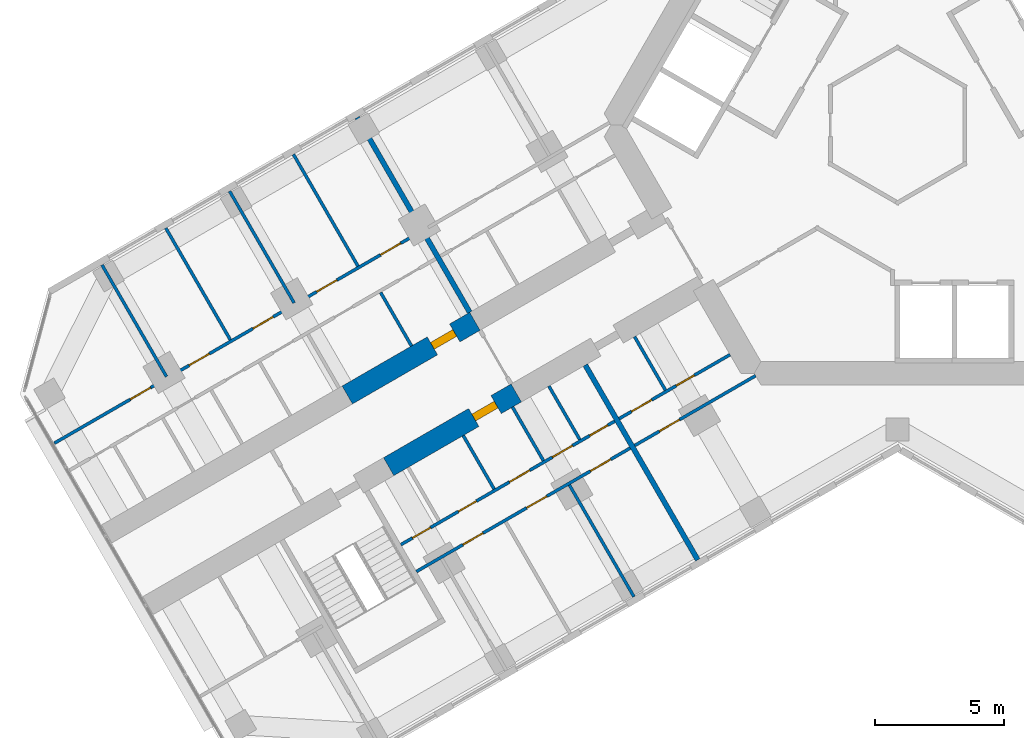
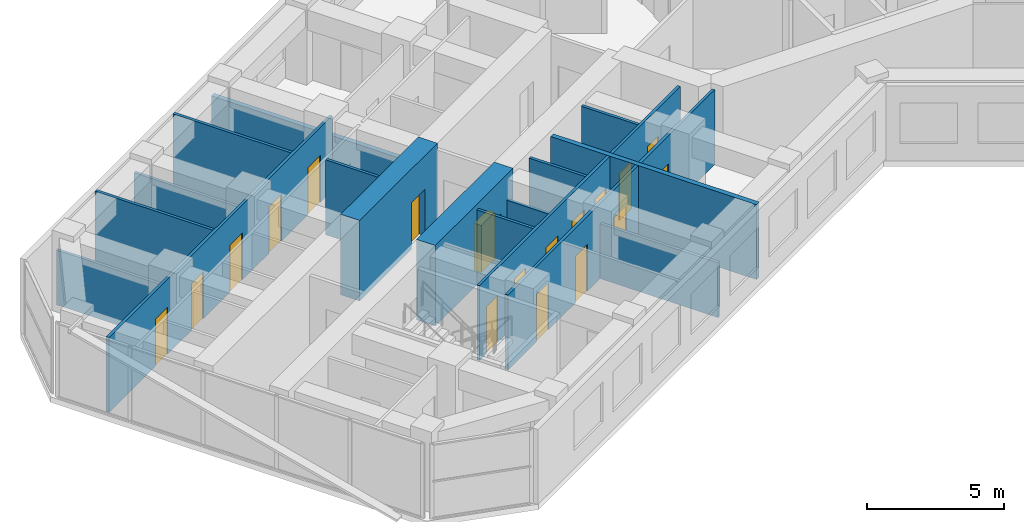
# One storey, part 11 of 19: 19 walls, 18 doors, 18 openings.
"""IFC4 building model written with IfcOpenShell, lengths in metres."""

from ifc_helpers import new_model, si_unit, direction, frame, frame_2d, origin, place, context, subcontext, project, spatial, rectangle, extrude, material, layer, layer_set, type_object, element, fill, save


model = new_model("IFC4")

# Units and contexts
model_context = context("Model", 3, precision=1e-05, world=origin(), true_north=direction((0.0, 1.0)))
body_context = subcontext(model_context, "Body", "Model", "MODEL_VIEW")
ifc_project = project(units=[si_unit("LENGTHUNIT", "METRE"), si_unit("AREAUNIT", "SQUARE_METRE"), si_unit("VOLUMEUNIT", "CUBIC_METRE"), si_unit("PLANEANGLEUNIT", "RADIAN"), si_unit("MASSUNIT", "GRAM", prefix="KILO")], contexts=[model_context])

# Site, building, storey
site_placement = place(None, origin())
site = spatial("IfcSite", under=ifc_project, at=site_placement, CompositionType="ELEMENT")
building_placement = place(site_placement, origin())
building = spatial("IfcBuilding", under=site, at=building_placement, Name="Kosmar Iwan School Tower", CompositionType="ELEMENT")
storey_placement = place(building_placement, frame((0.0, 0.0, 149.0)))
storey = spatial("IfcBuildingStorey", under=building, at=storey_placement, Name="L37", CompositionType="ELEMENT", Elevation=149.0)

# Wall, opening, door
ifc_material_1 = material(Name="Concrete C50/60", Category="concrete")
ifc_layer_1 = layer(ifc_material_1, 0.800048828125)
ifc_layer_set_1 = layer_set([ifc_layer_1], Name="Corridor buttress wall 800")
wall_type_1 = type_object("IfcWallType", Name="Corridor buttress wall 800", PredefinedType="SHEAR", material=ifc_layer_set_1)
wall_1_placement = place(storey_placement, frame((-14.7451171875, -10.360595703125, 0.0), z_axis=(0.0, 0.0, 1.0), x_axis=(-0.866015111908, -0.50001782563, 0.0)))
wall_1 = element("IfcWall", 1, at=wall_1_placement, inside=storey, type_object=wall_type_1, Name="Corridor wall BL bay 2", PredefinedType="SHEAR", context=body_context, shape_type="SweptSolid", body=[
    extrude(rectangle(XDim=5.699951171875, YDim=0.800048828125, at=frame_2d((2.85009765625, 0.0))), origin(), (0.0, 0.0, 1.0), 3.60009765625),
])
opening_1_placement = place(wall_1_placement, frame((0.89990234375, 0.0, 0.0)))
opening_1 = element("IfcOpeningElement", 2, at=opening_1_placement, cuts=wall_1, Name="Opening D1", PredefinedType="OPENING", context=body_context, shape_type="SweptSolid", body=[
    extrude(rectangle(XDim=1.0, YDim=2.10009765625, at=frame_2d((0.5, 1.050048828125))), frame((0.0, 0.412109375, 0.0), z_axis=(0.0, -1.0, 0.0), x_axis=(1.0, 0.0, 0.0)), (0.0, 0.0, 1.0), 0.823974609375),
])
ifc_material_2 = material(Name="Timber fire door in steel frame", Category="steel")
door_type_1 = type_object("IfcDoorType", Name="Flat entrance door 1000x2100", OperationType="SINGLE_SWING_LEFT", PredefinedType="DOOR", material=ifc_material_2)
door_1_placement = place(opening_1_placement, origin())
door_1 = element("IfcDoor", 3, at=door_1_placement, inside=storey, type_object=door_type_1, Name="Flat L37-BL2 entrance door", OperationType="SINGLE_SWING_LEFT", OverallHeight=2.10009765625, OverallWidth=1.0, PredefinedType="DOOR", context=body_context, shape_type="SweptSolid", body=[
    extrude(rectangle(XDim=1.0, YDim=2.10009765625, at=frame_2d((0.5, 1.050048828125))), frame((0.0, 0.14990234375, 0.0), z_axis=(0.0, -1.0, 0.0), x_axis=(1.0, 0.0, 0.0)), (0.0, 0.0, 1.0), 0.300048828125),
])
fill(opening_1, door_1)

wall_2_placement = place(storey_placement, frame((-16.34521484375, -7.58935546875, 0.0), z_axis=(0.0, 0.0, 1.0), x_axis=(-0.866015111908, -0.50001782563, 0.0)))
wall_2 = element("IfcWall", 4, at=wall_2_placement, inside=storey, type_object=wall_type_1, Name="Corridor wall BR bay 2", PredefinedType="SHEAR", context=body_context, shape_type="SweptSolid", body=[
    extrude(rectangle(XDim=5.699951171875, YDim=0.800048828125, at=frame_2d((2.85009765625, 0.0))), origin(), (0.0, 0.0, 1.0), 3.60009765625),
])
opening_2_placement = place(wall_2_placement, frame((0.89990234375, 0.0, 0.0)))
opening_2 = element("IfcOpeningElement", 5, at=opening_2_placement, cuts=wall_2, Name="Opening D1", PredefinedType="OPENING", context=body_context, shape_type="SweptSolid", body=[
    extrude(rectangle(XDim=1.0, YDim=2.10009765625, at=frame_2d((0.5, 1.050048828125))), frame((0.0, 0.412109375, 0.0), z_axis=(0.0, -1.0, 0.0), x_axis=(1.0, 0.0, 0.0)), (0.0, 0.0, 1.0), 0.823974609375),
])
door_2_placement = place(opening_2_placement, origin())
door_2 = element("IfcDoor", 6, at=door_2_placement, inside=storey, type_object=door_type_1, Name="Flat L37-BR2 entrance door", OperationType="SINGLE_SWING_LEFT", OverallHeight=2.10009765625, OverallWidth=1.0, PredefinedType="DOOR", context=body_context, shape_type="SweptSolid", body=[
    extrude(rectangle(XDim=1.0, YDim=2.10009765625, at=frame_2d((0.5, 1.050048828125))), frame((0.0, 0.14990234375, 0.0), z_axis=(0.0, -1.0, 0.0), x_axis=(1.0, 0.0, 0.0)), (0.0, 0.0, 1.0), 0.300048828125),
])
fill(opening_2, door_2)

# Wall, openings, doors
ifc_material_3 = material(Name="Gypsum board on steel studs", Category="steel")
ifc_layer_2 = layer(ifc_material_3, 0.1201171875)
ifc_layer_set_2 = layer_set([ifc_layer_2], Name="Dwelling partition 120")
wall_type_2 = type_object("IfcWallType", Name="Dwelling partition 120", PredefinedType="PARTITIONING", material=ifc_layer_set_2)
wall_3_placement = place(storey_placement, frame((-6.478515625, -8.87890625, 0.0), z_axis=(0.0, 0.0, 1.0), x_axis=(-0.866040211805, -0.499974350878, 0.0)))
wall_3 = element("IfcWall", 7, at=wall_3_placement, inside=storey, type_object=wall_type_2, Name="Partition L37-BL1-W1", PredefinedType="PARTITIONING", context=body_context, shape_type="SweptSolid", body=[
    extrude(rectangle(XDim=4.949951171875, YDim=0.1201171875, at=frame_2d((2.47509765625, 0.0))), origin(), (0.0, 0.0, 1.0), 3.35009765625),
])
opening_3_placement = place(wall_3_placement, frame((1.60009765625, 0.0, 0.0)))
opening_3 = element("IfcOpeningElement", 8, at=opening_3_placement, cuts=wall_3, Name="Opening D3", PredefinedType="OPENING", context=body_context, shape_type="SweptSolid", body=[
    extrude(rectangle(XDim=0.800048828125, YDim=2.10009765625, at=frame_2d((0.39990234375, 1.050048828125))), frame((0.0, 0.072021484375, 0.0), z_axis=(0.0, -1.0, 0.0), x_axis=(1.0, 0.0, 0.0)), (0.0, 0.0, 1.0), 0.14404296875),
])
opening_4_placement = place(wall_3_placement, frame((3.5, 0.0, 0.0)))
opening_4 = element("IfcOpeningElement", 9, at=opening_4_placement, cuts=wall_3, Name="Opening D2", PredefinedType="OPENING", context=body_context, shape_type="SweptSolid", body=[
    extrude(rectangle(XDim=0.89990234375, YDim=2.10009765625, at=frame_2d((0.449951171875, 1.050048828125))), frame((0.0, 0.072021484375, 0.0), z_axis=(0.0, -1.0, 0.0), x_axis=(1.0, 0.0, 0.0)), (0.0, 0.0, 1.0), 0.14404296875),
])
ifc_material_4 = material(Name="Timber door in timber frame", Category="wood")
door_type_2 = type_object("IfcDoorType", Name="Internal door 900x2100", OperationType="SINGLE_SWING_LEFT", PredefinedType="DOOR", material=ifc_material_4)
door_3_placement = place(opening_4_placement, origin())
door_3 = element("IfcDoor", 10, at=door_3_placement, inside=storey, type_object=door_type_2, Name="Entrance hall door L37-BL1-S2", OperationType="SINGLE_SWING_RIGHT", OverallHeight=2.10009765625, OverallWidth=0.89990234375, PredefinedType="DOOR", context=body_context, shape_type="SweptSolid", body=[
    extrude(rectangle(XDim=0.89990234375, YDim=2.10009765625, at=frame_2d((0.449951171875, 1.050048828125))), frame((0.0, 0.02490234375, 0.0), z_axis=(0.0, -1.0, 0.0), x_axis=(1.0, 0.0, 0.0)), (0.0, 0.0, 1.0), 0.050048828125),
])
fill(opening_4, door_3)
ifc_material_5 = material(Name="Timber door in timber frame", Category="wood")
door_type_3 = type_object("IfcDoorType", Name="Sanitary room door 800x2100", OperationType="SINGLE_SWING_LEFT", PredefinedType="DOOR", material=ifc_material_5)
door_4_placement = place(opening_3_placement, origin())
door_4 = element("IfcDoor", 11, at=door_4_placement, inside=storey, type_object=door_type_3, Name="Bathroom door L37-BL1-S1", OperationType="SINGLE_SWING_LEFT", OverallHeight=2.10009765625, OverallWidth=0.800048828125, PredefinedType="DOOR", context=body_context, shape_type="SweptSolid", body=[
    extrude(rectangle(XDim=0.800048828125, YDim=2.10009765625, at=frame_2d((0.39990234375, 1.050048828125))), frame((0.0, 0.02490234375, 0.0), z_axis=(0.0, -1.0, 0.0), x_axis=(1.0, 0.0, 0.0)), (0.0, 0.0, 1.0), 0.050048828125),
])
fill(opening_3, door_4)

# Wall, opening, door
wall_4_placement = place(storey_placement, frame((-5.48876953125, -9.693115234375, 0.0), z_axis=(0.0, 0.0, 1.0), x_axis=(-0.866028230842, -0.499995103361, 0.0)))
wall_4 = element("IfcWall", 12, at=wall_4_placement, inside=storey, type_object=wall_type_2, Name="Partition L37-BL1-W2", PredefinedType="PARTITIONING", context=body_context, shape_type="SweptSolid", body=[
    extrude(rectangle(XDim=5.39990234375, YDim=0.1201171875, at=frame_2d((2.699951171875, 0.0))), origin(), (0.0, 0.0, 1.0), 3.35009765625),
])
opening_5_placement = place(wall_4_placement, frame((3.39990234375, 0.0, 0.0)))
opening_5 = element("IfcOpeningElement", 13, at=opening_5_placement, cuts=wall_4, Name="Opening D2", PredefinedType="OPENING", context=body_context, shape_type="SweptSolid", body=[
    extrude(rectangle(XDim=0.89990234375, YDim=2.10009765625, at=frame_2d((0.449951171875, 1.050048828125))), frame((0.0, 0.072021484375, 0.0), z_axis=(0.0, -1.0, 0.0), x_axis=(1.0, 0.0, 0.0)), (0.0, 0.0, 1.0), 0.14404296875),
])
door_5_placement = place(opening_5_placement, origin())
door_5 = element("IfcDoor", 14, at=door_5_placement, inside=storey, type_object=door_type_2, Name="Studio living room and kitchen door L37-BL1-F1", OperationType="SINGLE_SWING_RIGHT", OverallHeight=2.10009765625, OverallWidth=0.89990234375, PredefinedType="DOOR", context=body_context, shape_type="SweptSolid", body=[
    extrude(rectangle(XDim=0.89990234375, YDim=2.10009765625, at=frame_2d((0.449951171875, 1.050048828125))), frame((0.0, 0.02490234375, 0.0), z_axis=(0.0, -1.0, 0.0), x_axis=(1.0, 0.0, 0.0)), (0.0, 0.0, 1.0), 0.050048828125),
])
fill(opening_5, door_5)

# Wall
wall_5_placement = place(storey_placement, frame((-10.171630859375, -8.18212890625, 0.0), z_axis=(0.0, 0.0, 1.0), x_axis=(0.499940577336, -0.866059708757, 0.0)))
element("IfcWall", 15, at=wall_5_placement, inside=storey, type_object=wall_type_2, Name="Partition L37-BL1-Y1", PredefinedType="PARTITIONING", context=body_context, shape_type="SweptSolid", body=[
    extrude(rectangle(XDim=2.389892578125, YDim=0.1201171875, at=frame_2d((1.19482421875, 0.0))), origin(), (0.0, 0.0, 1.0), 3.35009765625),
])

# Wall, openings, doors
wall_6_placement = place(storey_placement, frame((-10.9384765625, -11.453857421875, 0.0), z_axis=(0.0, 0.0, 1.0), x_axis=(-0.866035311659, -0.499982838664, 0.0)))
wall_6 = element("IfcWall", 16, at=wall_6_placement, inside=storey, type_object=wall_type_2, Name="Partition L37-BL2-W1", PredefinedType="PARTITIONING", context=body_context, shape_type="SweptSolid", body=[
    extrude(rectangle(XDim=9.550048828125, YDim=0.1201171875, at=frame_2d((4.77490234375, 0.0))), origin(), (0.0, 0.0, 1.0), 3.35009765625),
])
opening_6_placement = place(wall_6_placement, frame((0.3125, 0.0, 0.0)))
opening_6 = element("IfcOpeningElement", 17, at=opening_6_placement, cuts=wall_6, Name="Opening D3", PredefinedType="OPENING", context=body_context, shape_type="SweptSolid", body=[
    extrude(rectangle(XDim=0.800048828125, YDim=2.10009765625, at=frame_2d((0.39990234375, 1.050048828125))), frame((0.0, 0.072021484375, 0.0), z_axis=(0.0, -1.0, 0.0), x_axis=(1.0, 0.0, 0.0)), (0.0, 0.0, 1.0), 0.14404296875),
])
opening_7_placement = place(wall_6_placement, frame((1.887451171875, 0.0, 0.0)))
opening_7 = element("IfcOpeningElement", 18, at=opening_7_placement, cuts=wall_6, Name="Opening D2", PredefinedType="OPENING", context=body_context, shape_type="SweptSolid", body=[
    extrude(rectangle(XDim=0.89990234375, YDim=2.10009765625, at=frame_2d((0.449951171875, 1.050048828125))), frame((0.0, 0.072021484375, 0.0), z_axis=(0.0, -1.0, 0.0), x_axis=(1.0, 0.0, 0.0)), (0.0, 0.0, 1.0), 0.14404296875),
])
opening_8_placement = place(wall_6_placement, frame((3.800048828125, 0.0, 0.0)))
opening_8 = element("IfcOpeningElement", 19, at=opening_8_placement, cuts=wall_6, Name="Opening D2", PredefinedType="OPENING", context=body_context, shape_type="SweptSolid", body=[
    extrude(rectangle(XDim=0.89990234375, YDim=2.10009765625, at=frame_2d((0.449951171875, 1.050048828125))), frame((0.0, 0.072021484375, 0.0), z_axis=(0.0, -1.0, 0.0), x_axis=(1.0, 0.0, 0.0)), (0.0, 0.0, 1.0), 0.14404296875),
])
opening_9_placement = place(wall_6_placement, frame((6.179931640625, 0.0, 0.0)))
opening_9 = element("IfcOpeningElement", 20, at=opening_9_placement, cuts=wall_6, Name="Opening D3", PredefinedType="OPENING", context=body_context, shape_type="SweptSolid", body=[
    extrude(rectangle(XDim=0.800048828125, YDim=2.10009765625, at=frame_2d((0.39990234375, 1.050048828125))), frame((0.0, 0.072021484375, 0.0), z_axis=(0.0, -1.0, 0.0), x_axis=(1.0, 0.0, 0.0)), (0.0, 0.0, 1.0), 0.14404296875),
])
opening_10_placement = place(wall_6_placement, frame((8.22998046875, 0.0, 0.0)))
opening_10 = element("IfcOpeningElement", 21, at=opening_10_placement, cuts=wall_6, Name="Opening D3", PredefinedType="OPENING", context=body_context, shape_type="SweptSolid", body=[
    extrude(rectangle(XDim=0.800048828125, YDim=2.10009765625, at=frame_2d((0.39990234375, 1.050048828125))), frame((0.0, 0.072021484375, 0.0), z_axis=(0.0, -1.0, 0.0), x_axis=(1.0, 0.0, 0.0)), (0.0, 0.0, 1.0), 0.14404296875),
])
door_6_placement = place(opening_7_placement, frame((0.89990234375, 0.0, 0.0), z_axis=(0.0, 0.0, 1.0), x_axis=(-1.0, 0.0, 0.0)))
door_6 = element("IfcDoor", 22, at=door_6_placement, inside=storey, type_object=door_type_2, Name="Pantry door L37-BL2-S2", OperationType="SINGLE_SWING_RIGHT", OverallHeight=2.10009765625, OverallWidth=0.89990234375, PredefinedType="DOOR", context=body_context, shape_type="SweptSolid", body=[
    extrude(rectangle(XDim=0.89990234375, YDim=2.10009765625, at=frame_2d((0.449951171875, 1.050048828125))), frame((0.0, 0.02490234375, 0.0), z_axis=(0.0, -1.0, 0.0), x_axis=(1.0, 0.0, 0.0)), (0.0, 0.0, 1.0), 0.050048828125),
])
fill(opening_7, door_6)
door_7_placement = place(opening_8_placement, origin())
door_7 = element("IfcDoor", 23, at=door_7_placement, inside=storey, type_object=door_type_2, Name="Entrance hall door L37-BL2-S3", OperationType="SINGLE_SWING_LEFT", OverallHeight=2.10009765625, OverallWidth=0.89990234375, PredefinedType="DOOR", context=body_context, shape_type="SweptSolid", body=[
    extrude(rectangle(XDim=0.89990234375, YDim=2.10009765625, at=frame_2d((0.449951171875, 1.050048828125))), frame((0.0, 0.02490234375, 0.0), z_axis=(0.0, -1.0, 0.0), x_axis=(1.0, 0.0, 0.0)), (0.0, 0.0, 1.0), 0.050048828125),
])
fill(opening_8, door_7)
door_8_placement = place(opening_6_placement, origin())
door_8 = element("IfcDoor", 24, at=door_8_placement, inside=storey, type_object=door_type_3, Name="Store door L37-BL2-S1", OperationType="SINGLE_SWING_LEFT", OverallHeight=2.10009765625, OverallWidth=0.800048828125, PredefinedType="DOOR", context=body_context, shape_type="SweptSolid", body=[
    extrude(rectangle(XDim=0.800048828125, YDim=2.10009765625, at=frame_2d((0.39990234375, 1.050048828125))), frame((0.0, 0.02490234375, 0.0), z_axis=(0.0, -1.0, 0.0), x_axis=(1.0, 0.0, 0.0)), (0.0, 0.0, 1.0), 0.050048828125),
])
fill(opening_6, door_8)
door_9_placement = place(opening_9_placement, origin())
door_9 = element("IfcDoor", 25, at=door_9_placement, inside=storey, type_object=door_type_3, Name="Bathroom door L37-BL2-S4", OperationType="SINGLE_SWING_RIGHT", OverallHeight=2.10009765625, OverallWidth=0.800048828125, PredefinedType="DOOR", context=body_context, shape_type="SweptSolid", body=[
    extrude(rectangle(XDim=0.800048828125, YDim=2.10009765625, at=frame_2d((0.39990234375, 1.050048828125))), frame((0.0, 0.02490234375, 0.0), z_axis=(0.0, -1.0, 0.0), x_axis=(1.0, 0.0, 0.0)), (0.0, 0.0, 1.0), 0.050048828125),
])
fill(opening_9, door_9)
door_10_placement = place(opening_10_placement, origin())
door_10 = element("IfcDoor", 26, at=door_10_placement, inside=storey, type_object=door_type_3, Name="WC door L37-BL2-S5", OperationType="SINGLE_SWING_RIGHT", OverallHeight=2.10009765625, OverallWidth=0.800048828125, PredefinedType="DOOR", context=body_context, shape_type="SweptSolid", body=[
    extrude(rectangle(XDim=0.800048828125, YDim=2.10009765625, at=frame_2d((0.39990234375, 1.050048828125))), frame((0.0, 0.02490234375, 0.0), z_axis=(0.0, -1.0, 0.0), x_axis=(1.0, 0.0, 0.0)), (0.0, 0.0, 1.0), 0.050048828125),
])
fill(opening_10, door_10)

wall_7_placement = place(storey_placement, frame((-10.338623046875, -12.492919921875, 0.0), z_axis=(0.0, 0.0, 1.0), x_axis=(-0.866017851049, -0.500013081493, 0.0)))
wall_7 = element("IfcWall", 27, at=wall_7_placement, inside=storey, type_object=wall_type_2, Name="Partition L37-BL2-W2", PredefinedType="PARTITIONING", context=body_context, shape_type="SweptSolid", body=[
    extrude(rectangle(XDim=9.550048828125, YDim=0.1201171875, at=frame_2d((4.77490234375, 0.0))), origin(), (0.0, 0.0, 1.0), 3.35009765625),
])
opening_11_placement = place(wall_7_placement, frame((0.875, 0.0, 0.0)))
opening_11 = element("IfcOpeningElement", 28, at=opening_11_placement, cuts=wall_7, Name="Opening D2", PredefinedType="OPENING", context=body_context, shape_type="SweptSolid", body=[
    extrude(rectangle(XDim=0.89990234375, YDim=2.10009765625, at=frame_2d((0.449951171875, 1.050048828125))), frame((0.0, 0.072021484375, 0.0), z_axis=(0.0, -1.0, 0.0), x_axis=(1.0, 0.0, 0.0)), (0.0, 0.0, 1.0), 0.14404296875),
])
opening_12_placement = place(wall_7_placement, frame((3.72509765625, 0.0, 0.0)))
opening_12 = element("IfcOpeningElement", 29, at=opening_12_placement, cuts=wall_7, Name="Opening D2", PredefinedType="OPENING", context=body_context, shape_type="SweptSolid", body=[
    extrude(rectangle(XDim=0.89990234375, YDim=2.10009765625, at=frame_2d((0.449951171875, 1.050048828125))), frame((0.0, 0.072021484375, 0.0), z_axis=(0.0, -1.0, 0.0), x_axis=(1.0, 0.0, 0.0)), (0.0, 0.0, 1.0), 0.14404296875),
])
opening_13_placement = place(wall_7_placement, frame((6.574951171875, 0.0, 0.0)))
opening_13 = element("IfcOpeningElement", 30, at=opening_13_placement, cuts=wall_7, Name="Opening D2", PredefinedType="OPENING", context=body_context, shape_type="SweptSolid", body=[
    extrude(rectangle(XDim=0.89990234375, YDim=2.10009765625, at=frame_2d((0.449951171875, 1.050048828125))), frame((0.0, 0.072021484375, 0.0), z_axis=(0.0, -1.0, 0.0), x_axis=(1.0, 0.0, 0.0)), (0.0, 0.0, 1.0), 0.14404296875),
])
door_11_placement = place(opening_11_placement, origin())
door_11 = element("IfcDoor", 31, at=door_11_placement, inside=storey, type_object=door_type_2, Name="Living room door L37-BL2-F1", OperationType="SINGLE_SWING_RIGHT", OverallHeight=2.10009765625, OverallWidth=0.89990234375, PredefinedType="DOOR", context=body_context, shape_type="SweptSolid", body=[
    extrude(rectangle(XDim=0.89990234375, YDim=2.10009765625, at=frame_2d((0.449951171875, 1.050048828125))), frame((0.0, 0.02490234375, 0.0), z_axis=(0.0, -1.0, 0.0), x_axis=(1.0, 0.0, 0.0)), (0.0, 0.0, 1.0), 0.050048828125),
])
fill(opening_11, door_11)
door_12_placement = place(opening_12_placement, origin())
door_12 = element("IfcDoor", 32, at=door_12_placement, inside=storey, type_object=door_type_2, Name="Kitchen and dining room door L37-BL2-F2", OperationType="SINGLE_SWING_LEFT", OverallHeight=2.10009765625, OverallWidth=0.89990234375, PredefinedType="DOOR", context=body_context, shape_type="SweptSolid", body=[
    extrude(rectangle(XDim=0.89990234375, YDim=2.10009765625, at=frame_2d((0.449951171875, 1.050048828125))), frame((0.0, 0.02490234375, 0.0), z_axis=(0.0, -1.0, 0.0), x_axis=(1.0, 0.0, 0.0)), (0.0, 0.0, 1.0), 0.050048828125),
])
fill(opening_12, door_12)
door_13_placement = place(opening_13_placement, origin())
door_13 = element("IfcDoor", 33, at=door_13_placement, inside=storey, type_object=door_type_2, Name="Bedroom 1 door L37-BL2-F3", OperationType="SINGLE_SWING_RIGHT", OverallHeight=2.10009765625, OverallWidth=0.89990234375, PredefinedType="DOOR", context=body_context, shape_type="SweptSolid", body=[
    extrude(rectangle(XDim=0.89990234375, YDim=2.10009765625, at=frame_2d((0.449951171875, 1.050048828125))), frame((0.0, 0.02490234375, 0.0), z_axis=(0.0, -1.0, 0.0), x_axis=(1.0, 0.0, 0.0)), (0.0, 0.0, 1.0), 0.050048828125),
])
fill(opening_13, door_13)

# Walls
wall_8_placement = place(storey_placement, frame((-12.690185546875, -13.919921875, 0.0), z_axis=(0.0, 0.0, 1.0), x_axis=(0.500011847778, -0.866018563358, 0.0)))
element("IfcWall", 34, at=wall_8_placement, inside=storey, type_object=wall_type_2, Name="Partition L37-BL2-X1", PredefinedType="PARTITIONING", context=body_context, shape_type="SweptSolid", body=[
    extrude(rectangle(XDim=4.990234375, YDim=0.1201171875, at=frame_2d((2.4951171875, 0.0))), origin(), (0.0, 0.0, 1.0), 2.449951171875),
])
wall_9_placement = place(storey_placement, frame((-13.484375, -10.094482421875, 0.0), z_axis=(0.0, 0.0, 1.0), x_axis=(0.500017192868, -0.86601547725, 0.0)))
element("IfcWall", 35, at=wall_9_placement, inside=storey, type_object=wall_type_2, Name="Partition L37-BL2-Y1", PredefinedType="PARTITIONING", context=body_context, shape_type="SweptSolid", body=[
    extrude(rectangle(XDim=2.39013671875, YDim=0.1201171875, at=frame_2d((1.195068359375, 0.0))), origin(), (0.0, 0.0, 1.0), 3.35009765625),
])
wall_10_placement = place(storey_placement, frame((-14.8916015625, -10.906982421875, 0.0), z_axis=(0.0, 0.0, 1.0), x_axis=(0.500017192868, -0.86601547725, 0.0)))
element("IfcWall", 36, at=wall_10_placement, inside=storey, type_object=wall_type_2, Name="Partition L37-BL2-Y2", PredefinedType="PARTITIONING", context=body_context, shape_type="SweptSolid", body=[
    extrude(rectangle(XDim=2.39013671875, YDim=0.1201171875, at=frame_2d((1.195068359375, 0.0))), origin(), (0.0, 0.0, 1.0), 2.449951171875),
])
wall_11_placement = place(storey_placement, frame((-16.796875, -12.007080078125, 0.0), z_axis=(0.0, 0.0, 1.0), x_axis=(0.500017192868, -0.86601547725, 0.0)))
element("IfcWall", 37, at=wall_11_placement, inside=storey, type_object=wall_type_2, Name="Partition L37-BL2-Y3", PredefinedType="PARTITIONING", context=body_context, shape_type="SweptSolid", body=[
    extrude(rectangle(XDim=2.39013671875, YDim=0.1201171875, at=frame_2d((1.195068359375, 0.0))), origin(), (0.0, 0.0, 1.0), 3.35009765625),
])

# Wall, openings, doors
wall_12_placement = place(storey_placement, frame((-18.456787109375, -4.1318359375, 0.0), z_axis=(0.0, 0.0, 1.0), x_axis=(-0.866023907196, -0.500002592159, 0.0)))
wall_12 = element("IfcWall", 38, at=wall_12_placement, inside=storey, type_object=wall_type_2, Name="Partition L37-BR2-W2", PredefinedType="PARTITIONING", context=body_context, shape_type="SweptSolid", body=[
    extrude(rectangle(XDim=16.34521484375, YDim=0.1201171875, at=frame_2d((8.172607421875, 0.0))), origin(), (0.0, 0.0, 1.0), 3.35009765625),
])
opening_14_placement = place(wall_12_placement, frame((0.875, 0.0, 0.0)))
opening_14 = element("IfcOpeningElement", 39, at=opening_14_placement, cuts=wall_12, Name="Opening D2", PredefinedType="OPENING", context=body_context, shape_type="SweptSolid", body=[
    extrude(rectangle(XDim=0.89990234375, YDim=2.10009765625, at=frame_2d((0.449951171875, 1.050048828125))), frame((0.0, 0.072021484375, 0.0), z_axis=(0.0, -1.0, 0.0), x_axis=(1.0, 0.0, 0.0)), (0.0, 0.0, 1.0), 0.14404296875),
])
opening_15_placement = place(wall_12_placement, frame((3.72509765625, 0.0, 0.0)))
opening_15 = element("IfcOpeningElement", 40, at=opening_15_placement, cuts=wall_12, Name="Opening D2", PredefinedType="OPENING", context=body_context, shape_type="SweptSolid", body=[
    extrude(rectangle(XDim=0.89990234375, YDim=2.10009765625, at=frame_2d((0.449951171875, 1.050048828125))), frame((0.0, 0.072021484375, 0.0), z_axis=(0.0, -1.0, 0.0), x_axis=(1.0, 0.0, 0.0)), (0.0, 0.0, 1.0), 0.14404296875),
])
opening_16_placement = place(wall_12_placement, frame((6.574951171875, 0.0, 0.0)))
opening_16 = element("IfcOpeningElement", 41, at=opening_16_placement, cuts=wall_12, Name="Opening D2", PredefinedType="OPENING", context=body_context, shape_type="SweptSolid", body=[
    extrude(rectangle(XDim=0.89990234375, YDim=2.10009765625, at=frame_2d((0.449951171875, 1.050048828125))), frame((0.0, 0.072021484375, 0.0), z_axis=(0.0, -1.0, 0.0), x_axis=(1.0, 0.0, 0.0)), (0.0, 0.0, 1.0), 0.14404296875),
])
opening_17_placement = place(wall_12_placement, frame((9.425048828125, 0.0, 0.0)))
opening_17 = element("IfcOpeningElement", 42, at=opening_17_placement, cuts=wall_12, Name="Opening D2", PredefinedType="OPENING", context=body_context, shape_type="SweptSolid", body=[
    extrude(rectangle(XDim=0.89990234375, YDim=2.10009765625, at=frame_2d((0.449951171875, 1.050048828125))), frame((0.0, 0.072021484375, 0.0), z_axis=(0.0, -1.0, 0.0), x_axis=(1.0, 0.0, 0.0)), (0.0, 0.0, 1.0), 0.14404296875),
])
opening_18_placement = place(wall_12_placement, frame((12.050048828125, 0.0, 0.0)))
opening_18 = element("IfcOpeningElement", 43, at=opening_18_placement, cuts=wall_12, Name="Opening D2", PredefinedType="OPENING", context=body_context, shape_type="SweptSolid", body=[
    extrude(rectangle(XDim=0.89990234375, YDim=2.10009765625, at=frame_2d((0.449951171875, 1.050048828125))), frame((0.0, 0.072021484375, 0.0), z_axis=(0.0, -1.0, 0.0), x_axis=(1.0, 0.0, 0.0)), (0.0, 0.0, 1.0), 0.14404296875),
])
door_14_placement = place(opening_14_placement, origin())
door_14 = element("IfcDoor", 44, at=door_14_placement, inside=storey, type_object=door_type_2, Name="Kitchen and dining room door L37-BR2-F1", OperationType="SINGLE_SWING_LEFT", OverallHeight=2.10009765625, OverallWidth=0.89990234375, PredefinedType="DOOR", context=body_context, shape_type="SweptSolid", body=[
    extrude(rectangle(XDim=0.89990234375, YDim=2.10009765625, at=frame_2d((0.449951171875, 1.050048828125))), frame((0.0, 0.02490234375, 0.0), z_axis=(0.0, -1.0, 0.0), x_axis=(1.0, 0.0, 0.0)), (0.0, 0.0, 1.0), 0.050048828125),
])
fill(opening_14, door_14)
door_15_placement = place(opening_15_placement, origin())
door_15 = element("IfcDoor", 45, at=door_15_placement, inside=storey, type_object=door_type_2, Name="Guest reception room door L37-BR2-F2", OperationType="SINGLE_SWING_LEFT", OverallHeight=2.10009765625, OverallWidth=0.89990234375, PredefinedType="DOOR", context=body_context, shape_type="SweptSolid", body=[
    extrude(rectangle(XDim=0.89990234375, YDim=2.10009765625, at=frame_2d((0.449951171875, 1.050048828125))), frame((0.0, 0.02490234375, 0.0), z_axis=(0.0, -1.0, 0.0), x_axis=(1.0, 0.0, 0.0)), (0.0, 0.0, 1.0), 0.050048828125),
])
fill(opening_15, door_15)
door_16_placement = place(opening_16_placement, origin())
door_16 = element("IfcDoor", 46, at=door_16_placement, inside=storey, type_object=door_type_2, Name="Dining room door L37-BR2-F3", OperationType="SINGLE_SWING_LEFT", OverallHeight=2.10009765625, OverallWidth=0.89990234375, PredefinedType="DOOR", context=body_context, shape_type="SweptSolid", body=[
    extrude(rectangle(XDim=0.89990234375, YDim=2.10009765625, at=frame_2d((0.449951171875, 1.050048828125))), frame((0.0, 0.02490234375, 0.0), z_axis=(0.0, -1.0, 0.0), x_axis=(1.0, 0.0, 0.0)), (0.0, 0.0, 1.0), 0.050048828125),
])
fill(opening_16, door_16)
door_17_placement = place(opening_17_placement, origin())
door_17 = element("IfcDoor", 47, at=door_17_placement, inside=storey, type_object=door_type_2, Name="Bedroom 1 door L37-BR2-F4", OperationType="SINGLE_SWING_RIGHT", OverallHeight=2.10009765625, OverallWidth=0.89990234375, PredefinedType="DOOR", context=body_context, shape_type="SweptSolid", body=[
    extrude(rectangle(XDim=0.89990234375, YDim=2.10009765625, at=frame_2d((0.449951171875, 1.050048828125))), frame((0.0, 0.02490234375, 0.0), z_axis=(0.0, -1.0, 0.0), x_axis=(1.0, 0.0, 0.0)), (0.0, 0.0, 1.0), 0.050048828125),
])
fill(opening_17, door_17)
door_18_placement = place(opening_18_placement, origin())
door_18 = element("IfcDoor", 48, at=door_18_placement, inside=storey, type_object=door_type_2, Name="Living room door L37-BR2-F5", OperationType="SINGLE_SWING_RIGHT", OverallHeight=2.10009765625, OverallWidth=0.89990234375, PredefinedType="DOOR", context=body_context, shape_type="SweptSolid", body=[
    extrude(rectangle(XDim=0.89990234375, YDim=2.10009765625, at=frame_2d((0.449951171875, 1.050048828125))), frame((0.0, 0.02490234375, 0.0), z_axis=(0.0, -1.0, 0.0), x_axis=(1.0, 0.0, 0.0)), (0.0, 0.0, 1.0), 0.050048828125),
])
fill(opening_18, door_18)

# Walls
wall_13_placement = place(storey_placement, frame((-20.868408203125, -5.455078125, 0.0), z_axis=(0.0, 0.0, 1.0), x_axis=(-0.499975153383, 0.86603974851, 0.0)))
element("IfcWall", 49, at=wall_13_placement, inside=storey, type_object=wall_type_2, Name="Partition L37-BR2-X1", PredefinedType="PARTITIONING", context=body_context, shape_type="SweptSolid", body=[
    extrude(rectangle(XDim=4.989990234375, YDim=0.1201171875, at=frame_2d((2.4951171875, 0.0))), origin(), (0.0, 0.0, 1.0), 3.35009765625),
])
wall_14_placement = place(storey_placement, frame((-23.33642578125, -6.8798828125, 0.0), z_axis=(0.0, 0.0, 1.0), x_axis=(-0.500033033937, 0.866006330792, 0.0)))
element("IfcWall", 50, at=wall_14_placement, inside=storey, type_object=wall_type_2, Name="Partition L37-BR2-X2", PredefinedType="PARTITIONING", context=body_context, shape_type="SweptSolid", body=[
    extrude(rectangle(XDim=4.989990234375, YDim=0.1201171875, at=frame_2d((2.4951171875, 0.0))), origin(), (0.0, 0.0, 1.0), 2.449951171875),
])
wall_15_placement = place(storey_placement, frame((-25.8046875, -8.304931640625, 0.0), z_axis=(0.0, 0.0, 1.0), x_axis=(-0.499975153383, 0.86603974851, 0.0)))
element("IfcWall", 51, at=wall_15_placement, inside=storey, type_object=wall_type_2, Name="Partition L37-BR2-X3", PredefinedType="PARTITIONING", context=body_context, shape_type="SweptSolid", body=[
    extrude(rectangle(XDim=4.989990234375, YDim=0.1201171875, at=frame_2d((2.4951171875, 0.0))), origin(), (0.0, 0.0, 1.0), 3.35009765625),
])
wall_16_placement = place(storey_placement, frame((-28.27294921875, -9.72998046875, 0.0), z_axis=(0.0, 0.0, 1.0), x_axis=(-0.499975153383, 0.86603974851, 0.0)))
element("IfcWall", 52, at=wall_16_placement, inside=storey, type_object=wall_type_2, Name="Partition L37-BR2-X4", PredefinedType="PARTITIONING", context=body_context, shape_type="SweptSolid", body=[
    extrude(rectangle(XDim=4.989990234375, YDim=0.1201171875, at=frame_2d((2.4951171875, 0.0))), origin(), (0.0, 0.0, 1.0), 2.449951171875),
])
wall_17_placement = place(storey_placement, frame((-18.796875, -8.54296875, 0.0), z_axis=(0.0, 0.0, 1.0), x_axis=(-0.500017192868, 0.86601547725, 0.0)))
element("IfcWall", 53, at=wall_17_placement, inside=storey, type_object=wall_type_2, Name="Partition L37-BR2-Y1", PredefinedType="PARTITIONING", context=body_context, shape_type="SweptSolid", body=[
    extrude(rectangle(XDim=2.39013671875, YDim=0.1201171875, at=frame_2d((1.195068359375, 0.0))), origin(), (0.0, 0.0, 1.0), 3.35009765625),
])
ifc_material_6 = material(Name="Concrete block masonry", Category="masonry")
ifc_layer_3 = layer(ifc_material_6, 0.199951171875)
ifc_layer_set_3 = layer_set([ifc_layer_3], Name="Party wall 200")
wall_type_3 = type_object("IfcWallType", Name="Party wall 200", PredefinedType="PARTITIONING", material=ifc_layer_set_3)
wall_18_placement = place(storey_placement, frame((-12.076904296875, -9.281982421875, 0.0), z_axis=(0.0, 0.0, 1.0), x_axis=(0.499987231761, -0.866032775405, 0.0)))
element("IfcWall", 54, at=wall_18_placement, inside=storey, type_object=wall_type_3, Name="Partition L37-BL2-PW", PredefinedType="PARTITIONING", context=body_context, shape_type="SweptSolid", body=[
    extrude(rectangle(XDim=8.699951171875, YDim=0.199951171875, at=frame_2d((4.35009765625, 0.0))), origin(), (0.0, 0.0, 1.0), 3.35009765625),
])
wall_19_placement = place(storey_placement, frame((-16.545166015625, -7.242919921875, 0.0), z_axis=(0.0, 0.0, 1.0), x_axis=(-0.500008278454, 0.866020624164, 0.0)))
element("IfcWall", 55, at=wall_19_placement, inside=storey, type_object=wall_type_3, Name="Partition L37-BR2-PW", PredefinedType="PARTITIONING", context=body_context, shape_type="SweptSolid", body=[
    extrude(rectangle(XDim=8.699951171875, YDim=0.199951171875, at=frame_2d((4.35009765625, 0.0))), origin(), (0.0, 0.0, 1.0), 2.449951171875),
])

save(model, "model.ifc")
